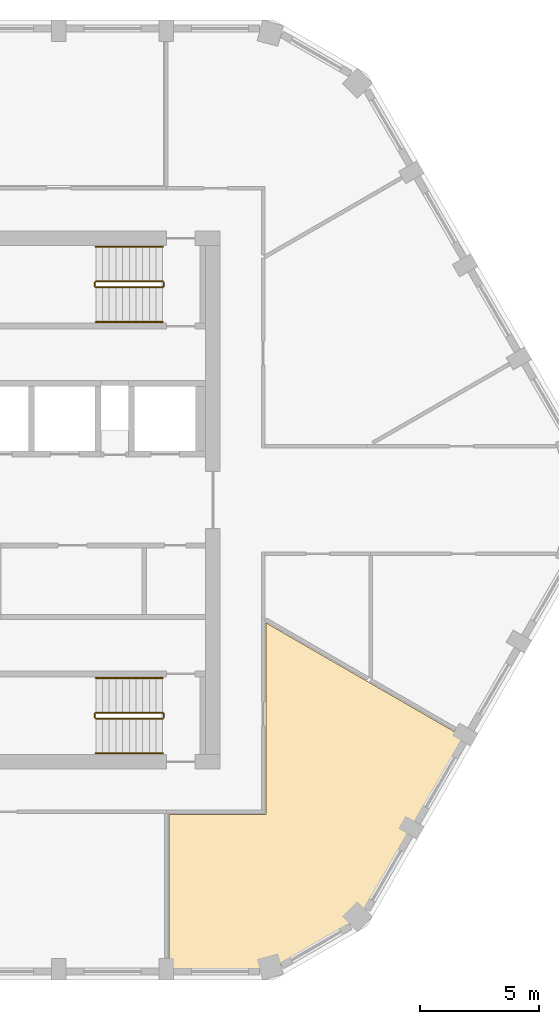
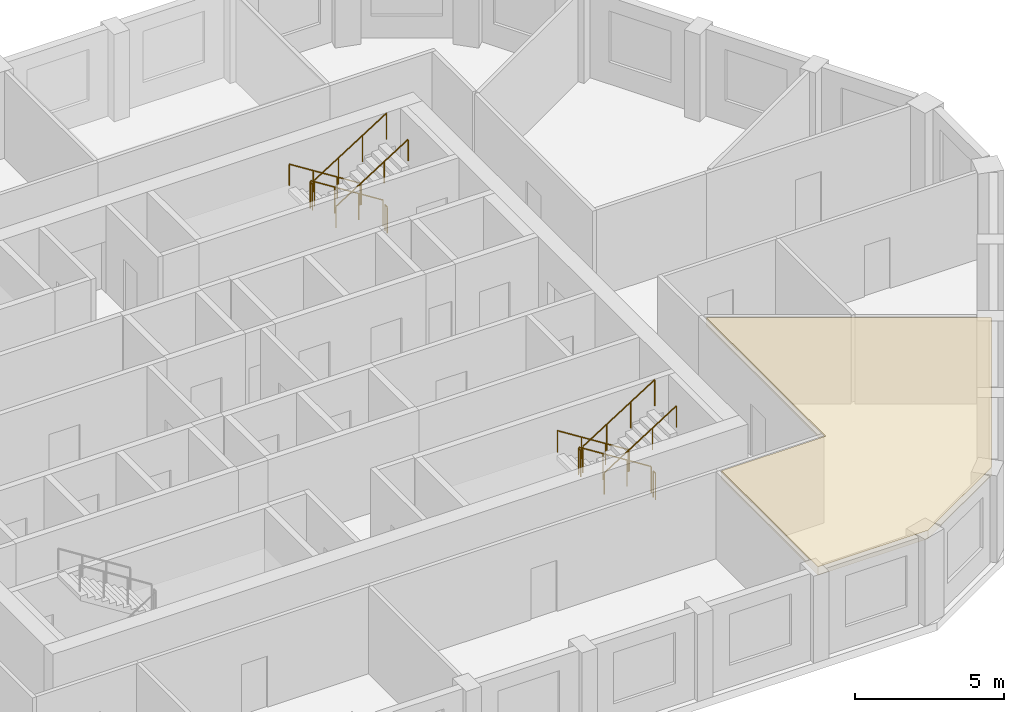
# One storey, part 9 of 10: 12 railings, 1 covering.
"""IFC4 building model written with IfcOpenShell, lengths in metres."""

from ifc_helpers import new_model, si_unit, direction, frame, origin, origin_2d, place, context, subcontext, project, spatial, polyline, circle, outline, extrude, material, layer, layer_set, type_object, element, save


model = new_model("IFC4")

# Units and contexts
model_context = context("Model", 3, precision=1e-05, world=origin(), true_north=direction((0.0, 1.0)))
body_context = subcontext(model_context, "Body", "Model", "MODEL_VIEW")
ifc_project = project(units=[si_unit("LENGTHUNIT", "METRE"), si_unit("AREAUNIT", "SQUARE_METRE"), si_unit("VOLUMEUNIT", "CUBIC_METRE"), si_unit("PLANEANGLEUNIT", "RADIAN"), si_unit("MASSUNIT", "GRAM", prefix="KILO")], contexts=[model_context])

# Site, building, storey
site_placement = place(None, origin())
site = spatial("IfcSite", under=ifc_project, at=site_placement, CompositionType="ELEMENT")
building_placement = place(site_placement, origin())
building = spatial("IfcBuilding", under=site, at=building_placement, Name="Dhurran Vertical Campus", CompositionType="ELEMENT")
storey_placement = place(building_placement, frame((0.0, 0.0, 298.199951171875)))
storey = spatial("IfcBuildingStorey", under=building, at=storey_placement, Name="L74", CompositionType="ELEMENT", Elevation=298.199951171875)

# Railings
ifc_material_1 = material(Name="Stainless steel balustrade", Category="steel")
railing_type_1 = type_object("IfcRailingType", Name="co-RL-GUARD-1100", PredefinedType="GUARDRAIL", material=ifc_material_1)
railing_1_placement = place(storey_placement, frame((11.10009765625, 9.14990234375, 0.17724609375)))
element("IfcRailing", 1, at=railing_1_placement, inside=storey, type_object=railing_type_1, Name="L74 ST2 stair guard 1", PredefinedType="GUARDRAIL", context=body_context, shape_type="SweptSolid", body=[
    extrude(circle(Radius=0.02392578125, at=origin_2d()), frame((0.0, 0.0, 1.076171875), z_axis=(-0.844908973607, 0.0, 0.534910110503), x_axis=(0.0, -1.0, 0.0)), (0.0, 0.0, 1.0), 3.31396484375),
    extrude(circle(Radius=0.02099609375, at=origin_2d()), origin(), (0.0, 0.0, 1.0), 1.052001953125),
    extrude(circle(Radius=0.02099609375, at=origin_2d()), frame((-0.933349609375, 0.0, 0.5908203125)), (0.0, 0.0, 1.0), 1.052001953125),
    extrude(circle(Radius=0.02099609375, at=origin_2d()), frame((-1.86669921875, 0.0, 1.181884765625)), (0.0, 0.0, 1.0), 1.052001953125),
    extrude(circle(Radius=0.02099609375, at=origin_2d()), frame((-2.800048828125, 0.0, 1.772705078125)), (0.0, 0.0, 1.0), 1.052001953125),
])
railing_2_placement = place(storey_placement, frame((8.25, 9.10009765625, 1.949951171875)))
element("IfcRailing", 2, at=railing_2_placement, inside=storey, type_object=railing_type_1, Name="L74 ST2 stair guard 2", PredefinedType="GUARDRAIL", context=body_context, shape_type="SweptSolid", body=[
    extrude(circle(Radius=0.02392578125, at=origin_2d()), frame((0.0, 0.0, 1.076171875), z_axis=(0.0, -1.0, 0.0), x_axis=(1.0, 0.0, 0.0)), (0.0, 0.0, 1.0), 0.150146484375),
    extrude(circle(Radius=0.02099609375, at=origin_2d()), origin(), (0.0, 0.0, 1.0), 1.052001953125),
    extrude(circle(Radius=0.02099609375, at=origin_2d()), frame((0.0, -0.150146484375, 0.0)), (0.0, 0.0, 1.0), 1.052001953125),
])
railing_3_placement = place(storey_placement, frame((8.300048828125, 8.89990234375, 2.12744140625)))
element("IfcRailing", 3, at=railing_3_placement, inside=storey, type_object=railing_type_1, Name="L74 ST2 stair guard 3", PredefinedType="GUARDRAIL", context=body_context, shape_type="SweptSolid", body=[
    extrude(circle(Radius=0.02392578125, at=origin_2d()), frame((0.0, 0.0, 1.076171875), z_axis=(0.844908973607, 0.0, 0.534910110503), x_axis=(0.0, 1.0, 0.0)), (0.0, 0.0, 1.0), 3.31396484375),
    extrude(circle(Radius=0.02099609375, at=origin_2d()), origin(), (0.0, 0.0, 1.0), 1.052001953125),
    extrude(circle(Radius=0.02099609375, at=origin_2d()), frame((0.933349609375, 0.0, 0.5908203125)), (0.0, 0.0, 1.0), 1.052001953125),
    extrude(circle(Radius=0.02099609375, at=origin_2d()), frame((1.86669921875, 0.0, 1.181884765625)), (0.0, 0.0, 1.0), 1.052001953125),
    extrude(circle(Radius=0.02099609375, at=origin_2d()), frame((2.800048828125, 0.0, 1.772705078125)), (0.0, 0.0, 1.0), 1.052001953125),
])
railing_4_placement = place(storey_placement, frame((11.14990234375, 9.10009765625, 0.0)))
element("IfcRailing", 4, at=railing_4_placement, inside=storey, type_object=railing_type_1, Name="L74 ST2 stair guard 4", PredefinedType="GUARDRAIL", context=body_context, shape_type="SweptSolid", body=[
    extrude(circle(Radius=0.02392578125, at=origin_2d()), frame((0.0, 0.0, 1.076171875), z_axis=(0.0, -1.0, 0.0), x_axis=(1.0, 0.0, 0.0)), (0.0, 0.0, 1.0), 0.150146484375),
    extrude(circle(Radius=0.02099609375, at=origin_2d()), origin(), (0.0, 0.0, 1.0), 1.052001953125),
    extrude(circle(Radius=0.02099609375, at=origin_2d()), frame((0.0, -0.150146484375, 0.0)), (0.0, 0.0, 1.0), 1.052001953125),
])
railing_5_placement = place(storey_placement, frame((11.10009765625, -8.89990234375, 0.17724609375)))
element("IfcRailing", 5, at=railing_5_placement, inside=storey, type_object=railing_type_1, Name="L74 ST4 stair guard 1", PredefinedType="GUARDRAIL", context=body_context, shape_type="SweptSolid", body=[
    extrude(circle(Radius=0.02392578125, at=origin_2d()), frame((0.0, 0.0, 1.076171875), z_axis=(-0.844908973607, 0.0, 0.534910110503), x_axis=(0.0, -1.0, 0.0)), (0.0, 0.0, 1.0), 3.31396484375),
    extrude(circle(Radius=0.02099609375, at=origin_2d()), origin(), (0.0, 0.0, 1.0), 1.052001953125),
    extrude(circle(Radius=0.02099609375, at=origin_2d()), frame((-0.933349609375, 0.0, 0.5908203125)), (0.0, 0.0, 1.0), 1.052001953125),
    extrude(circle(Radius=0.02099609375, at=origin_2d()), frame((-1.86669921875, 0.0, 1.181884765625)), (0.0, 0.0, 1.0), 1.052001953125),
    extrude(circle(Radius=0.02099609375, at=origin_2d()), frame((-2.800048828125, 0.0, 1.772705078125)), (0.0, 0.0, 1.0), 1.052001953125),
])
railing_6_placement = place(storey_placement, frame((8.25, -8.949951171875, 1.949951171875)))
element("IfcRailing", 6, at=railing_6_placement, inside=storey, type_object=railing_type_1, Name="L74 ST4 stair guard 2", PredefinedType="GUARDRAIL", context=body_context, shape_type="SweptSolid", body=[
    extrude(circle(Radius=0.02392578125, at=origin_2d()), frame((0.0, 0.0, 1.076171875), z_axis=(0.0, -1.0, 0.0), x_axis=(1.0, 0.0, 0.0)), (0.0, 0.0, 1.0), 0.150146484375),
    extrude(circle(Radius=0.02099609375, at=origin_2d()), origin(), (0.0, 0.0, 1.0), 1.052001953125),
    extrude(circle(Radius=0.02099609375, at=origin_2d()), frame((0.0, -0.150146484375, 0.0)), (0.0, 0.0, 1.0), 1.052001953125),
])
railing_7_placement = place(storey_placement, frame((8.300048828125, -9.14990234375, 2.12744140625)))
element("IfcRailing", 7, at=railing_7_placement, inside=storey, type_object=railing_type_1, Name="L74 ST4 stair guard 3", PredefinedType="GUARDRAIL", context=body_context, shape_type="SweptSolid", body=[
    extrude(circle(Radius=0.02392578125, at=origin_2d()), frame((0.0, 0.0, 1.076171875), z_axis=(0.844908973607, 0.0, 0.534910110503), x_axis=(0.0, 1.0, 0.0)), (0.0, 0.0, 1.0), 3.31396484375),
    extrude(circle(Radius=0.02099609375, at=origin_2d()), origin(), (0.0, 0.0, 1.0), 1.052001953125),
    extrude(circle(Radius=0.02099609375, at=origin_2d()), frame((0.933349609375, 0.0, 0.5908203125)), (0.0, 0.0, 1.0), 1.052001953125),
    extrude(circle(Radius=0.02099609375, at=origin_2d()), frame((1.86669921875, 0.0, 1.181884765625)), (0.0, 0.0, 1.0), 1.052001953125),
    extrude(circle(Radius=0.02099609375, at=origin_2d()), frame((2.800048828125, 0.0, 1.772705078125)), (0.0, 0.0, 1.0), 1.052001953125),
])
railing_8_placement = place(storey_placement, frame((11.14990234375, -8.949951171875, 0.0)))
element("IfcRailing", 8, at=railing_8_placement, inside=storey, type_object=railing_type_1, Name="L74 ST4 stair guard 4", PredefinedType="GUARDRAIL", context=body_context, shape_type="SweptSolid", body=[
    extrude(circle(Radius=0.02392578125, at=origin_2d()), frame((0.0, 0.0, 1.076171875), z_axis=(0.0, -1.0, 0.0), x_axis=(1.0, 0.0, 0.0)), (0.0, 0.0, 1.0), 0.150146484375),
    extrude(circle(Radius=0.02099609375, at=origin_2d()), origin(), (0.0, 0.0, 1.0), 1.052001953125),
    extrude(circle(Radius=0.02099609375, at=origin_2d()), frame((0.0, -0.150146484375, 0.0)), (0.0, 0.0, 1.0), 1.052001953125),
])
ifc_material_2 = material(Name="Stainless steel handrail", Category="steel")
railing_type_2 = type_object("IfcRailingType", Name="co-RL-HANDRAIL-900", PredefinedType="HANDRAIL", material=ifc_material_2)
railing_9_placement = place(storey_placement, frame((11.10009765625, 10.60009765625, 0.17724609375)))
element("IfcRailing", 9, at=railing_9_placement, inside=storey, type_object=railing_type_2, Name="L74 ST2 stair handrail 1", PredefinedType="HANDRAIL", context=body_context, shape_type="SweptSolid", body=[
    extrude(circle(Radius=0.02392578125, at=origin_2d()), frame((0.0, 0.0, 0.8759765625), z_axis=(-0.844908973607, 0.0, 0.534910110503), x_axis=(0.0, -1.0, 0.0)), (0.0, 0.0, 1.0), 3.31396484375),
    extrude(circle(Radius=0.02099609375, at=origin_2d()), origin(), (0.0, 0.0, 1.0), 0.851806640625),
    extrude(circle(Radius=0.02099609375, at=origin_2d()), frame((-0.933349609375, 0.0, 0.5908203125)), (0.0, 0.0, 1.0), 0.851806640625),
    extrude(circle(Radius=0.02099609375, at=origin_2d()), frame((-1.86669921875, 0.0, 1.181884765625)), (0.0, 0.0, 1.0), 0.851806640625),
    extrude(circle(Radius=0.02099609375, at=origin_2d()), frame((-2.800048828125, 0.0, 1.772705078125)), (0.0, 0.0, 1.0), 0.851806640625),
])
railing_10_placement = place(storey_placement, frame((8.300048828125, 7.449951171875, 2.12744140625)))
element("IfcRailing", 10, at=railing_10_placement, inside=storey, type_object=railing_type_2, Name="L74 ST2 stair handrail 2", PredefinedType="HANDRAIL", context=body_context, shape_type="SweptSolid", body=[
    extrude(circle(Radius=0.02392578125, at=origin_2d()), frame((0.0, 0.0, 0.8759765625), z_axis=(0.844908973607, 0.0, 0.534910110503), x_axis=(0.0, 1.0, 0.0)), (0.0, 0.0, 1.0), 3.31396484375),
    extrude(circle(Radius=0.02099609375, at=origin_2d()), origin(), (0.0, 0.0, 1.0), 0.851806640625),
    extrude(circle(Radius=0.02099609375, at=origin_2d()), frame((0.933349609375, 0.0, 0.5908203125)), (0.0, 0.0, 1.0), 0.851806640625),
    extrude(circle(Radius=0.02099609375, at=origin_2d()), frame((1.86669921875, 0.0, 1.181884765625)), (0.0, 0.0, 1.0), 0.851806640625),
    extrude(circle(Radius=0.02099609375, at=origin_2d()), frame((2.800048828125, 0.0, 1.772705078125)), (0.0, 0.0, 1.0), 0.851806640625),
])
railing_11_placement = place(storey_placement, frame((11.10009765625, -7.449951171875, 0.17724609375)))
element("IfcRailing", 11, at=railing_11_placement, inside=storey, type_object=railing_type_2, Name="L74 ST4 stair handrail 1", PredefinedType="HANDRAIL", context=body_context, shape_type="SweptSolid", body=[
    extrude(circle(Radius=0.02392578125, at=origin_2d()), frame((0.0, 0.0, 0.8759765625), z_axis=(-0.844908973607, 0.0, 0.534910110503), x_axis=(0.0, -1.0, 0.0)), (0.0, 0.0, 1.0), 3.31396484375),
    extrude(circle(Radius=0.02099609375, at=origin_2d()), origin(), (0.0, 0.0, 1.0), 0.851806640625),
    extrude(circle(Radius=0.02099609375, at=origin_2d()), frame((-0.933349609375, 0.0, 0.5908203125)), (0.0, 0.0, 1.0), 0.851806640625),
    extrude(circle(Radius=0.02099609375, at=origin_2d()), frame((-1.86669921875, 0.0, 1.181884765625)), (0.0, 0.0, 1.0), 0.851806640625),
    extrude(circle(Radius=0.02099609375, at=origin_2d()), frame((-2.800048828125, 0.0, 1.772705078125)), (0.0, 0.0, 1.0), 0.851806640625),
])
railing_12_placement = place(storey_placement, frame((8.300048828125, -10.60009765625, 2.12744140625)))
element("IfcRailing", 12, at=railing_12_placement, inside=storey, type_object=railing_type_2, Name="L74 ST4 stair handrail 2", PredefinedType="HANDRAIL", context=body_context, shape_type="SweptSolid", body=[
    extrude(circle(Radius=0.02392578125, at=origin_2d()), frame((0.0, 0.0, 0.8759765625), z_axis=(0.844908973607, 0.0, 0.534910110503), x_axis=(0.0, 1.0, 0.0)), (0.0, 0.0, 1.0), 3.31396484375),
    extrude(circle(Radius=0.02099609375, at=origin_2d()), origin(), (0.0, 0.0, 1.0), 0.851806640625),
    extrude(circle(Radius=0.02099609375, at=origin_2d()), frame((0.933349609375, 0.0, 0.5908203125)), (0.0, 0.0, 1.0), 0.851806640625),
    extrude(circle(Radius=0.02099609375, at=origin_2d()), frame((1.86669921875, 0.0, 1.181884765625)), (0.0, 0.0, 1.0), 0.851806640625),
    extrude(circle(Radius=0.02099609375, at=origin_2d()), frame((2.800048828125, 0.0, 1.772705078125)), (0.0, 0.0, 1.0), 0.851806640625),
])

# Covering
ifc_material_3 = material(Name="Mineral fibre ceiling tiles on suspended grid")
ifc_layer = layer(ifc_material_3, 0.35009765625)
ifc_layer_set = layer_set([ifc_layer], Name="Mineral fibre ceiling tiles on suspended grid")
covering_type = type_object("IfcCoveringType", Name="fl-CE-350 suspended ceiling", PredefinedType="CEILING", material=ifc_layer_set)
covering_placement = place(storey_placement, frame((0.0, 0.0, 3.22509765625)))
element("IfcCovering", 13, at=covering_placement, inside=storey, type_object=covering_type, Name="Ceiling 74-15", PredefinedType="CEILING", context=body_context, shape_type="SweptSolid", body=[
    extrude(outline(polyline([(23.722900390625, -9.93798828125), (19.339111328125, -17.531005859375), (15.637939453125, -19.66796875), (11.3701171875, -19.66796875), (11.3701171875, -13.169921875), (15.419921875, -13.169921875), (15.419921875, -5.14404296875), (23.722900390625, -9.93798828125)])), origin(), (0.0, 0.0, 1.0), 0.349853515625),
])

save(model, "model.ifc")
